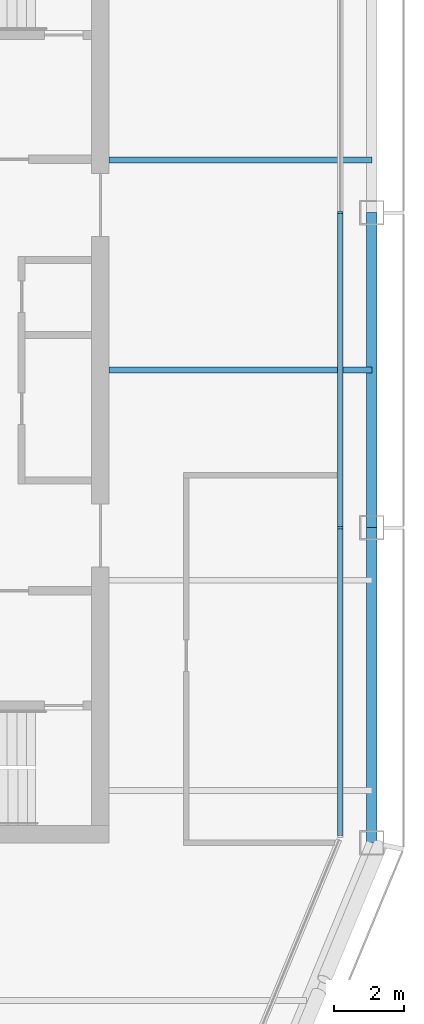
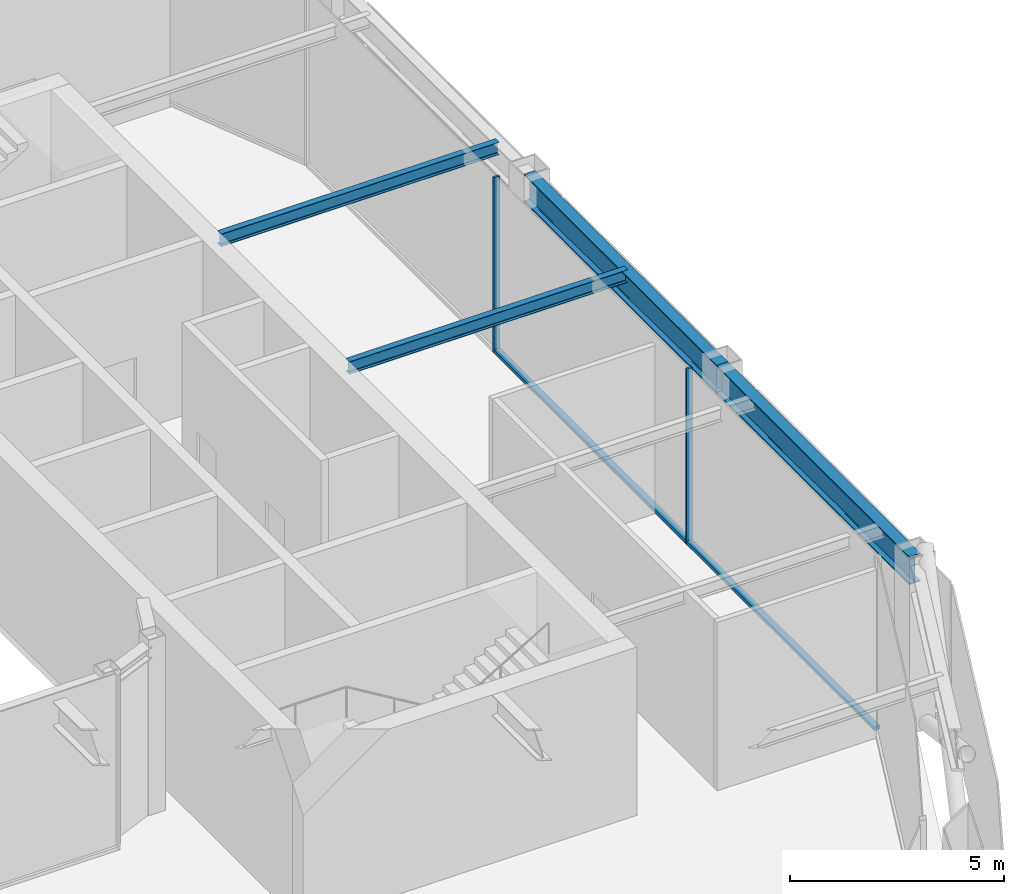
# One storey, part 6 of 17: 4 beams, 4 members, 1 element without a shape of its own.
"""IFC4 building model written with IfcOpenShell, lengths in metres."""

from ifc_helpers import new_model, si_unit, direction, frame, origin, origin_2d, place, context, subcontext, project, spatial, rectangle, i_section, extrude, material, layer, layer_set, material_profile, profile_set, type_object, element, aggregate, save


model = new_model("IFC4")

# Units and contexts
model_context = context("Model", 3, precision=1e-05, world=origin(), true_north=direction((0.0, 1.0)))
body_context = subcontext(model_context, "Body", "Model", "MODEL_VIEW")
ifc_project = project(units=[si_unit("LENGTHUNIT", "METRE"), si_unit("AREAUNIT", "SQUARE_METRE"), si_unit("VOLUMEUNIT", "CUBIC_METRE"), si_unit("PLANEANGLEUNIT", "RADIAN"), si_unit("MASSUNIT", "GRAM", prefix="KILO")], contexts=[model_context])

# Site, building, storey
site_placement = place(None, origin())
site = spatial("IfcSite", under=ifc_project, at=site_placement, CompositionType="ELEMENT")
building_placement = place(site_placement, origin())
building = spatial("IfcBuilding", under=site, at=building_placement, Name="Siwar Civic Tower", CompositionType="ELEMENT")
storey_placement = place(building_placement, frame((0.0, 0.0, 353.199951171875)))
storey = spatial("IfcBuildingStorey", under=building, at=storey_placement, Name="L76", CompositionType="ELEMENT", Elevation=353.199951171875)

# Curtain wall, members
ifc_material_1 = material(Name="Aluminium and glass", Category="aluminium")
ifc_layer = layer(ifc_material_1, 0.159912109375)
ifc_layer_set = layer_set([ifc_layer], Name="Aluminium and glass")
curtain_wall_type = type_object("IfcCurtainWallType", Name="ENV-CW-D", PredefinedType="NOTDEFINED", material=ifc_layer_set)
curtain_wall_placement = place(storey_placement, origin())
curtain_wall = element("IfcCurtainWall", 1, at=curtain_wall_placement, inside=storey, type_object=curtain_wall_type, Name="Curtain wall D E", PredefinedType="NOTDEFINED")
ifc_material_2 = material(Name="Aluminium 6063-T6", Category="aluminium")
ifc_material_profile_1 = material_profile(ifc_material_2, rectangle(XDim=0.159912109375, YDim=0.06005859375, at=origin_2d()), Name="AL 160x60")
ifc_profile_set_1 = profile_set([ifc_material_profile_1], Name="Aluminium 6063-T6")
member_type_1 = type_object("IfcMemberType", Name="ENV-MULLION-D", PredefinedType="MULLION", material=ifc_profile_set_1)
member_1_placement = place(storey_placement, frame((23.85009765625, -4.5, 0.0), z_axis=(0.0, 0.0, 1.0), x_axis=(-1.0, 0.0, 0.0)))
member_1 = element("IfcMember", 2, at=member_1_placement, type_object=member_type_1, Name="Mullion D E 2", PredefinedType="MULLION", context=body_context, shape_type="SweptSolid", body=[
    extrude(rectangle(XDim=0.159912109375, YDim=0.06005859375, at=origin_2d()), origin(), (0.0, 0.0, 1.0), 5.0),
])
member_2_placement = place(storey_placement, frame((23.85009765625, 4.5, 0.0), z_axis=(0.0, 0.0, 1.0), x_axis=(-1.0, 0.0, 0.0)))
member_2 = element("IfcMember", 3, at=member_2_placement, type_object=member_type_1, Name="Mullion D E 3", PredefinedType="MULLION", context=body_context, shape_type="SweptSolid", body=[
    extrude(rectangle(XDim=0.159912109375, YDim=0.06005859375, at=origin_2d()), origin(), (0.0, 0.0, 1.0), 5.0),
])
ifc_material_3 = material(Name="Aluminium 6063-T6", Category="aluminium")
ifc_material_profile_2 = material_profile(ifc_material_3, rectangle(XDim=0.159912109375, YDim=0.10009765625, at=origin_2d()), Name="AL 160x100")
ifc_profile_set_2 = profile_set([ifc_material_profile_2], Name="Aluminium 6063-T6")
member_type_2 = type_object("IfcMemberType", Name="ENV-TRANSOM-D", PredefinedType="USERDEFINED", material=ifc_profile_set_2)
member_3_placement = place(storey_placement, frame((23.85009765625, -13.291015625, 0.050048828125), z_axis=(0.0, 1.0, 0.0), x_axis=(-1.0, 0.0, 0.0)))
member_3 = element("IfcMember", 4, at=member_3_placement, type_object=member_type_2, Name="Transom D E 1", ObjectType="TRANSOM", PredefinedType="USERDEFINED", context=body_context, shape_type="SweptSolid", body=[
    extrude(rectangle(XDim=0.159912109375, YDim=0.10009765625, at=origin_2d()), origin(), (0.0, 0.0, 1.0), 8.760986328125),
])
member_4_placement = place(storey_placement, frame((23.85009765625, -4.469970703125, 0.050048828125), z_axis=(0.0, 1.0, 0.0), x_axis=(-1.0, 0.0, 0.0)))
member_4 = element("IfcMember", 5, at=member_4_placement, type_object=member_type_2, Name="Transom D E 2", ObjectType="TRANSOM", PredefinedType="USERDEFINED", context=body_context, shape_type="SweptSolid", body=[
    extrude(rectangle(XDim=0.159912109375, YDim=0.10009765625, at=origin_2d()), origin(), (0.0, 0.0, 1.0), 8.93994140625),
])
aggregate(curtain_wall, [member_1, member_2, member_3, member_4])

# Beams
ifc_material_4 = material(Name="Steel S355", Category="steel")
ifc_material_profile_3 = material_profile(ifc_material_4, i_section(OverallWidth=0.169921875, OverallDepth=0.360107421875, WebThickness=0.008056640625, FlangeThickness=0.0126953125, FilletRadius=0.01806640625, at=origin_2d()), Name="IPE360")
ifc_profile_set_3 = profile_set([ifc_material_profile_3], Name="Steel S355")
beam_type_1 = type_object("IfcBeamType", Name="STR-FB-IPE360", PredefinedType="JOIST", material=ifc_profile_set_3)
for number, where, z_axis, x_axis, name in (
    (6, (17.25, 0.0, 4.6201171875), (1.0, 0.0, 0.0), (0.0, 1.0, 0.0), "L76/bm/F019"),
    (7, (17.25, 6.0, 4.6201171875), (1.0, 0.0, 0.0), (0.0, 1.0, 0.0), "L76/bm/F021"),
):
    element("IfcBeam", number, at=place(storey_placement, frame(where, z_axis=z_axis, x_axis=x_axis)), inside=storey, type_object=beam_type_1, Name=name, PredefinedType="JOIST", context=body_context, shape_type="SweptSolid", body=[
        extrude(i_section(OverallWidth=0.169921875, OverallDepth=0.360107421875, WebThickness=0.008056640625, FlangeThickness=0.0126953125, FilletRadius=0.01806640625, at=origin_2d()), origin(), (0.0, 0.0, 1.0), 7.5),
    ])
ifc_material_5 = material(Name="Steel S355", Category="steel")
ifc_material_profile_4 = material_profile(ifc_material_5, i_section(OverallWidth=0.300048828125, OverallDepth=0.800048828125, WebThickness=0.017578125, FlangeThickness=0.032958984375, FilletRadius=0.030029296875, at=origin_2d()), Name="HEB800")
ifc_profile_set_4 = profile_set([ifc_material_profile_4], Name="Steel S355")
beam_type_2 = type_object("IfcBeamType", Name="STR-SB-HEB800", PredefinedType="BEAM", material=ifc_profile_set_4)
for number, where, z_axis, x_axis, name in (
    (8, (24.75, -13.5, 4.400146484375), (0.0, 1.0, 0.0), (-1.0, 0.0, 0.0), "L76/bm/SE-0"),
    (9, (24.75, -4.5, 4.400146484375), (0.0, 1.0, 0.0), (-1.0, 0.0, 0.0), "L76/bm/SE-1"),
):
    element("IfcBeam", number, at=place(storey_placement, frame(where, z_axis=z_axis, x_axis=x_axis)), inside=storey, type_object=beam_type_2, Name=name, PredefinedType="BEAM", context=body_context, shape_type="SweptSolid", body=[
        extrude(i_section(OverallWidth=0.300048828125, OverallDepth=0.800048828125, WebThickness=0.017578125, FlangeThickness=0.032958984375, FilletRadius=0.030029296875, at=origin_2d()), origin(), (0.0, 0.0, 1.0), 9.0),
    ])

save(model, "model.ifc")
